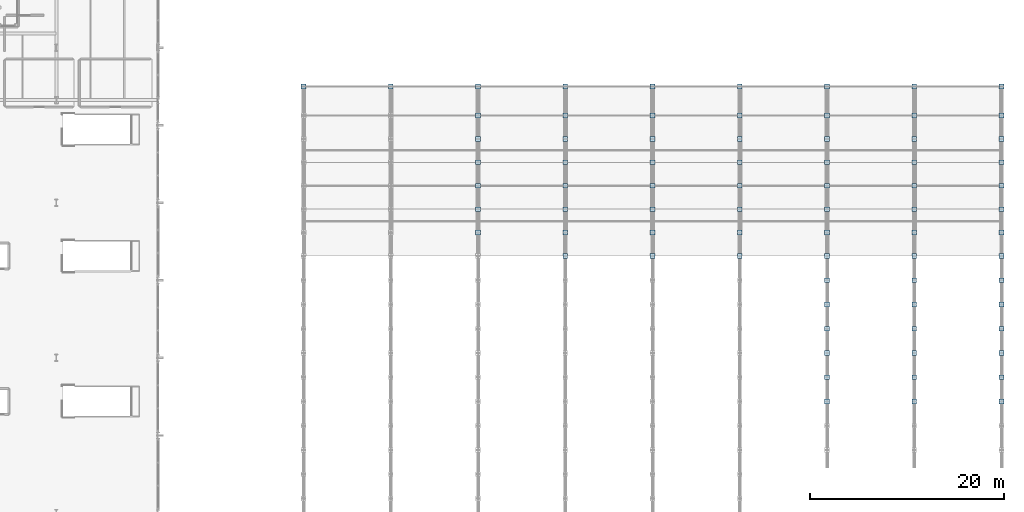
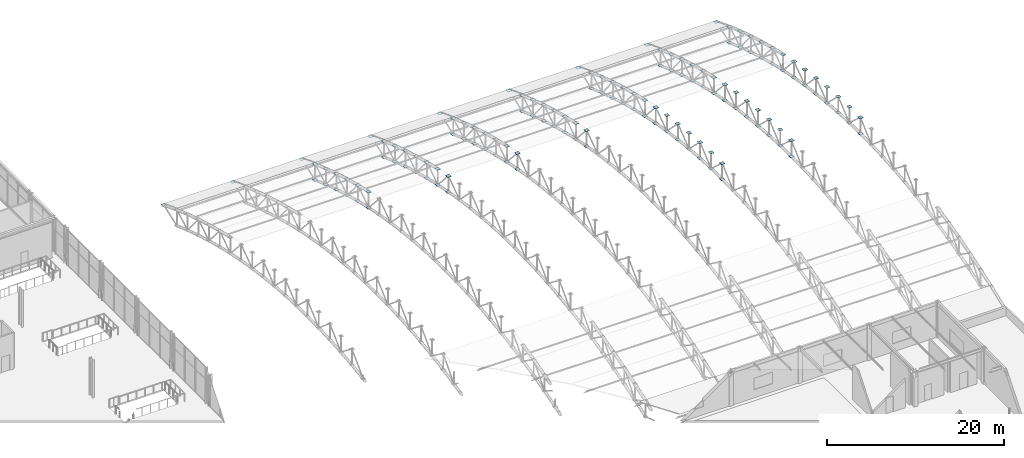
# One storey, part 107 of 195: 141 plates.
"""IFC4 building model written with IfcOpenShell, lengths in metres."""

from ifc_helpers import new_model, si_unit, direction, frame, origin, origin_2d, place, context, subcontext, project, spatial, rectangle, extrude, material, layer, layer_set, type_object, element, save


model = new_model("IFC4")

# Units and contexts
model_context = context("Model", 3, precision=1e-05, world=origin(), true_north=direction((0.0, 1.0)))
body_context = subcontext(model_context, "Body", "Model", "MODEL_VIEW")
ifc_project = project(units=[si_unit("LENGTHUNIT", "METRE"), si_unit("AREAUNIT", "SQUARE_METRE"), si_unit("VOLUMEUNIT", "CUBIC_METRE"), si_unit("PLANEANGLEUNIT", "RADIAN"), si_unit("MASSUNIT", "GRAM", prefix="KILO")], contexts=[model_context])

# Site, building, storey
site_placement = place(None, origin())
site = spatial("IfcSite", under=ifc_project, at=site_placement, CompositionType="ELEMENT")
building_placement = place(site_placement, origin())
building = spatial("IfcBuilding", under=site, at=building_placement, Name="Marlcrest Central Station", CompositionType="ELEMENT")
storey_placement = place(building_placement, frame((0.0, 0.0, 9.800048828125)))
storey = spatial("IfcBuildingStorey", under=building, at=storey_placement, Name="L02", CompositionType="ELEMENT", Elevation=9.800048828125)

# Plates
ifc_material = material(Name="Steel S355", Category="steel")
ifc_layer = layer(ifc_material, 0.02001953125, Name="GP-03")
ifc_layer_set = layer_set([ifc_layer], Name="Steel S355")
plate_type = type_object("IfcPlateType", Name="GP-03", PredefinedType="USERDEFINED", material=ifc_layer_set)
for number, where, z_axis, x_axis, name in (
    (1, (144.0, 98.5, 0.435791015625), (0.0, 0.0, 1.0), (1.0, 0.0, 0.0), "plt-cap-00632"),
    (2, (153.0, 98.5, 0.435791015625), (0.0, 0.0, 1.0), (1.0, 0.0, 0.0), "plt-cap-00684"),
    (3, (162.0, 83.419921875, 2.906982421875), (0.0, 0.0, 1.0), (1.0, 0.0, 0.0), "plt-cap-00724"),
    (4, (162.0, 83.419921875, 5.10693359375), (0.0, 0.0, 1.0), (1.0, 0.0, 0.0), "plt-cap-00725"),
    (5, (162.0, 85.830078125, 4.550048828125), (0.0, 0.0, 1.0), (1.0, 0.0, 0.0), "plt-cap-00726"),
    (6, (162.0, 85.830078125, 2.349853515625), (0.0, 0.0, 1.0), (1.0, 0.0, 0.0), "plt-cap-00727"),
    (7, (162.0, 88.25, 1.718017578125), (0.0, 0.0, 1.0), (1.0, 0.0, 0.0), "plt-cap-00728"),
    (8, (162.0, 88.25, 3.91796875), (0.0, 0.0, 1.0), (1.0, 0.0, 0.0), "plt-cap-00729"),
    (9, (162.0, 90.669921875, 3.21337890625), (0.0, 0.0, 1.0), (1.0, 0.0, 0.0), "plt-cap-00730"),
    (10, (162.0, 90.669921875, 1.013427734375), (0.0, 0.0, 1.0), (1.0, 0.0, 0.0), "plt-cap-00731"),
    (11, (162.0, 93.080078125, 0.239501953125), (0.0, 0.0, 1.0), (1.0, 0.0, 0.0), "plt-cap-00732"),
    (12, (162.0, 95.5, -0.610107421875), (0.0, 0.0, 1.0), (1.0, 0.0, 0.0), "plt-cap-00733"),
    (13, (162.0, 93.080078125, 2.439453125), (0.0, 0.0, 1.0), (1.0, 0.0, 0.0), "plt-cap-00734"),
    (14, (162.0, 95.5, 1.58984375), (0.0, 0.0, 1.0), (1.0, 0.0, 0.0), "plt-cap-00735"),
    (15, (162.0, 98.5, 0.435791015625), (0.0, 0.0, 1.0), (1.0, 0.0, 0.0), "plt-cap-00736"),
    (16, (171.0, 81.0, 5.59375), (0.0, 0.0, 1.0), (1.0, 0.0, 0.0), "plt-cap-00774"),
    (17, (171.0, 81.0, 3.393798828125), (0.0, 0.0, 1.0), (1.0, 0.0, 0.0), "plt-cap-00775"),
    (18, (171.0, 83.419921875, 2.906982421875), (0.0, 0.0, 1.0), (1.0, 0.0, 0.0), "plt-cap-00776"),
    (19, (171.0, 83.419921875, 5.10693359375), (0.0, 0.0, 1.0), (1.0, 0.0, 0.0), "plt-cap-00777"),
    (20, (171.0, 85.830078125, 4.550048828125), (0.0, 0.0, 1.0), (1.0, 0.0, 0.0), "plt-cap-00778"),
    (21, (171.0, 85.830078125, 2.349853515625), (0.0, 0.0, 1.0), (1.0, 0.0, 0.0), "plt-cap-00779"),
    (22, (171.0, 88.25, 1.718017578125), (0.0, 0.0, 1.0), (1.0, 0.0, 0.0), "plt-cap-00780"),
    (23, (171.0, 88.25, 3.91796875), (0.0, 0.0, 1.0), (1.0, 0.0, 0.0), "plt-cap-00781"),
    (24, (171.0, 90.669921875, 3.21337890625), (0.0, 0.0, 1.0), (1.0, 0.0, 0.0), "plt-cap-00782"),
    (25, (171.0, 90.669921875, 1.013427734375), (0.0, 0.0, 1.0), (1.0, 0.0, 0.0), "plt-cap-00783"),
    (26, (171.0, 93.080078125, 0.239501953125), (0.0, 0.0, 1.0), (1.0, 0.0, 0.0), "plt-cap-00784"),
    (27, (171.0, 95.5, -0.610107421875), (0.0, 0.0, 1.0), (1.0, 0.0, 0.0), "plt-cap-00785"),
    (28, (171.0, 93.080078125, 2.439453125), (0.0, 0.0, 1.0), (1.0, 0.0, 0.0), "plt-cap-00786"),
    (29, (171.0, 95.5, 1.58984375), (0.0, 0.0, 1.0), (1.0, 0.0, 0.0), "plt-cap-00787"),
    (30, (171.0, 98.5, 0.435791015625), (0.0, 0.0, 1.0), (1.0, 0.0, 0.0), "plt-cap-00788"),
    (31, (180.0, 81.0, 5.59375), (0.0, 0.0, 1.0), (1.0, 0.0, 0.0), "plt-cap-00826"),
    (32, (180.0, 81.0, 3.393798828125), (0.0, 0.0, 1.0), (1.0, 0.0, 0.0), "plt-cap-00827"),
    (33, (180.0, 83.419921875, 2.906982421875), (0.0, 0.0, 1.0), (1.0, 0.0, 0.0), "plt-cap-00828"),
    (34, (180.0, 83.419921875, 5.10693359375), (0.0, 0.0, 1.0), (1.0, 0.0, 0.0), "plt-cap-00829"),
    (35, (180.0, 85.830078125, 4.550048828125), (0.0, 0.0, 1.0), (1.0, 0.0, 0.0), "plt-cap-00830"),
    (36, (180.0, 85.830078125, 2.349853515625), (0.0, 0.0, 1.0), (1.0, 0.0, 0.0), "plt-cap-00831"),
    (37, (180.0, 88.25, 1.718017578125), (0.0, 0.0, 1.0), (1.0, 0.0, 0.0), "plt-cap-00832"),
    (38, (180.0, 88.25, 3.91796875), (0.0, 0.0, 1.0), (1.0, 0.0, 0.0), "plt-cap-00833"),
    (39, (180.0, 90.669921875, 3.21337890625), (0.0, 0.0, 1.0), (1.0, 0.0, 0.0), "plt-cap-00834"),
    (40, (180.0, 90.669921875, 1.013427734375), (0.0, 0.0, 1.0), (1.0, 0.0, 0.0), "plt-cap-00835"),
    (41, (180.0, 93.080078125, 0.239501953125), (0.0, 0.0, 1.0), (1.0, 0.0, 0.0), "plt-cap-00836"),
    (42, (180.0, 95.5, -0.610107421875), (0.0, 0.0, 1.0), (1.0, 0.0, 0.0), "plt-cap-00837"),
    (43, (180.0, 93.080078125, 2.439453125), (0.0, 0.0, 1.0), (1.0, 0.0, 0.0), "plt-cap-00838"),
    (44, (180.0, 95.5, 1.58984375), (0.0, 0.0, 1.0), (1.0, 0.0, 0.0), "plt-cap-00839"),
    (45, (180.0, 98.5, 0.435791015625), (0.0, 0.0, 1.0), (1.0, 0.0, 0.0), "plt-cap-00840"),
    (46, (189.0, 81.0, 5.59375), (0.0, 0.0, 1.0), (1.0, 0.0, 0.0), "plt-cap-00878"),
    (47, (189.0, 81.0, 3.393798828125), (0.0, 0.0, 1.0), (1.0, 0.0, 0.0), "plt-cap-00879"),
    (48, (189.0, 83.419921875, 2.906982421875), (0.0, 0.0, 1.0), (1.0, 0.0, 0.0), "plt-cap-00880"),
    (49, (189.0, 83.419921875, 5.10693359375), (0.0, 0.0, 1.0), (1.0, 0.0, 0.0), "plt-cap-00881"),
    (50, (189.0, 85.830078125, 4.550048828125), (0.0, 0.0, 1.0), (1.0, 0.0, 0.0), "plt-cap-00882"),
    (51, (189.0, 85.830078125, 2.349853515625), (0.0, 0.0, 1.0), (1.0, 0.0, 0.0), "plt-cap-00883"),
    (52, (189.0, 88.25, 1.718017578125), (0.0, 0.0, 1.0), (1.0, 0.0, 0.0), "plt-cap-00884"),
    (53, (189.0, 88.25, 3.91796875), (0.0, 0.0, 1.0), (1.0, 0.0, 0.0), "plt-cap-00885"),
    (54, (189.0, 90.669921875, 3.21337890625), (0.0, 0.0, 1.0), (1.0, 0.0, 0.0), "plt-cap-00886"),
    (55, (189.0, 90.669921875, 1.013427734375), (0.0, 0.0, 1.0), (1.0, 0.0, 0.0), "plt-cap-00887"),
    (56, (189.0, 93.080078125, 0.239501953125), (0.0, 0.0, 1.0), (1.0, 0.0, 0.0), "plt-cap-00888"),
    (57, (189.0, 95.5, -0.610107421875), (0.0, 0.0, 1.0), (1.0, 0.0, 0.0), "plt-cap-00889"),
    (58, (189.0, 93.080078125, 2.439453125), (0.0, 0.0, 1.0), (1.0, 0.0, 0.0), "plt-cap-00890"),
    (59, (189.0, 95.5, 1.58984375), (0.0, 0.0, 1.0), (1.0, 0.0, 0.0), "plt-cap-00891"),
    (60, (189.0, 98.5, 0.435791015625), (0.0, 0.0, 1.0), (1.0, 0.0, 0.0), "plt-cap-00892"),
    (61, (198.0, 66.0, 6.989990234375), (0.0, 0.0, 1.0), (1.0, 0.0, 0.0), "plt-cap-00918"),
    (62, (198.0, 66.0, 4.7900390625), (0.0, 0.0, 1.0), (1.0, 0.0, 0.0), "plt-cap-00919"),
    (63, (198.0, 68.5, 4.751220703125), (0.0, 0.0, 1.0), (1.0, 0.0, 0.0), "plt-cap-00920"),
    (64, (198.0, 68.5, 6.951171875), (0.0, 0.0, 1.0), (1.0, 0.0, 0.0), "plt-cap-00921"),
    (65, (198.0, 71.0, 6.8349609375), (0.0, 0.0, 1.0), (1.0, 0.0, 0.0), "plt-cap-00922"),
    (66, (198.0, 71.0, 4.634765625), (0.0, 0.0, 1.0), (1.0, 0.0, 0.0), "plt-cap-00923"),
    (67, (198.0, 73.5, 4.44091796875), (0.0, 0.0, 1.0), (1.0, 0.0, 0.0), "plt-cap-00924"),
    (68, (198.0, 73.5, 6.640869140625), (0.0, 0.0, 1.0), (1.0, 0.0, 0.0), "plt-cap-00925"),
    (69, (198.0, 76.0, 6.369384765625), (0.0, 0.0, 1.0), (1.0, 0.0, 0.0), "plt-cap-00926"),
    (70, (198.0, 76.0, 4.16943359375), (0.0, 0.0, 1.0), (1.0, 0.0, 0.0), "plt-cap-00927"),
    (71, (198.0, 78.5, 3.820556640625), (0.0, 0.0, 1.0), (1.0, 0.0, 0.0), "plt-cap-00928"),
    (72, (198.0, 78.5, 6.0205078125), (0.0, 0.0, 1.0), (1.0, 0.0, 0.0), "plt-cap-00929"),
    (73, (198.0, 81.0, 5.59375), (0.0, 0.0, 1.0), (1.0, 0.0, 0.0), "plt-cap-00930"),
    (74, (198.0, 81.0, 3.393798828125), (0.0, 0.0, 1.0), (1.0, 0.0, 0.0), "plt-cap-00931"),
    (75, (198.0, 83.419921875, 2.906982421875), (0.0, 0.0, 1.0), (1.0, 0.0, 0.0), "plt-cap-00932"),
    (76, (198.0, 83.419921875, 5.10693359375), (0.0, 0.0, 1.0), (1.0, 0.0, 0.0), "plt-cap-00933"),
    (77, (198.0, 85.830078125, 4.550048828125), (0.0, 0.0, 1.0), (1.0, 0.0, 0.0), "plt-cap-00934"),
    (78, (198.0, 85.830078125, 2.349853515625), (0.0, 0.0, 1.0), (1.0, 0.0, 0.0), "plt-cap-00935"),
    (79, (198.0, 88.25, 1.718017578125), (0.0, 0.0, 1.0), (1.0, 0.0, 0.0), "plt-cap-00936"),
    (80, (198.0, 88.25, 3.91796875), (0.0, 0.0, 1.0), (1.0, 0.0, 0.0), "plt-cap-00937"),
    (81, (198.0, 90.669921875, 3.21337890625), (0.0, 0.0, 1.0), (1.0, 0.0, 0.0), "plt-cap-00938"),
    (82, (198.0, 90.669921875, 1.013427734375), (0.0, 0.0, 1.0), (1.0, 0.0, 0.0), "plt-cap-00939"),
    (83, (198.0, 93.080078125, 0.239501953125), (0.0, 0.0, 1.0), (1.0, 0.0, 0.0), "plt-cap-00940"),
    (84, (198.0, 95.5, -0.610107421875), (0.0, 0.0, 1.0), (1.0, 0.0, 0.0), "plt-cap-00941"),
    (85, (198.0, 93.080078125, 2.439453125), (0.0, 0.0, 1.0), (1.0, 0.0, 0.0), "plt-cap-00942"),
    (86, (198.0, 95.5, 1.58984375), (0.0, 0.0, 1.0), (1.0, 0.0, 0.0), "plt-cap-00943"),
    (87, (198.0, 98.5, 0.435791015625), (0.0, 0.0, 1.0), (1.0, 0.0, 0.0), "plt-cap-00944"),
    (88, (207.0, 66.0, 6.989990234375), (0.0, 0.0, 1.0), (1.0, 0.0, 0.0), "plt-cap-00970"),
    (89, (207.0, 66.0, 4.7900390625), (0.0, 0.0, 1.0), (1.0, 0.0, 0.0), "plt-cap-00971"),
    (90, (207.0, 68.5, 4.751220703125), (0.0, 0.0, 1.0), (1.0, 0.0, 0.0), "plt-cap-00972"),
    (91, (207.0, 68.5, 6.951171875), (0.0, 0.0, 1.0), (1.0, 0.0, 0.0), "plt-cap-00973"),
    (92, (207.0, 71.0, 6.8349609375), (0.0, 0.0, 1.0), (1.0, 0.0, 0.0), "plt-cap-00974"),
    (93, (207.0, 71.0, 4.634765625), (0.0, 0.0, 1.0), (1.0, 0.0, 0.0), "plt-cap-00975"),
    (94, (207.0, 73.5, 4.44091796875), (0.0, 0.0, 1.0), (1.0, 0.0, 0.0), "plt-cap-00976"),
    (95, (207.0, 73.5, 6.640869140625), (0.0, 0.0, 1.0), (1.0, 0.0, 0.0), "plt-cap-00977"),
    (96, (207.0, 76.0, 6.369384765625), (0.0, 0.0, 1.0), (1.0, 0.0, 0.0), "plt-cap-00978"),
    (97, (207.0, 76.0, 4.16943359375), (0.0, 0.0, 1.0), (1.0, 0.0, 0.0), "plt-cap-00979"),
    (98, (207.0, 78.5, 3.820556640625), (0.0, 0.0, 1.0), (1.0, 0.0, 0.0), "plt-cap-00980"),
    (99, (207.0, 78.5, 6.0205078125), (0.0, 0.0, 1.0), (1.0, 0.0, 0.0), "plt-cap-00981"),
    (100, (207.0, 81.0, 5.59375), (0.0, 0.0, 1.0), (1.0, 0.0, 0.0), "plt-cap-00982"),
    (101, (207.0, 81.0, 3.393798828125), (0.0, 0.0, 1.0), (1.0, 0.0, 0.0), "plt-cap-00983"),
    (102, (207.0, 83.419921875, 2.906982421875), (0.0, 0.0, 1.0), (1.0, 0.0, 0.0), "plt-cap-00984"),
    (103, (207.0, 83.419921875, 5.10693359375), (0.0, 0.0, 1.0), (1.0, 0.0, 0.0), "plt-cap-00985"),
    (104, (207.0, 85.830078125, 4.550048828125), (0.0, 0.0, 1.0), (1.0, 0.0, 0.0), "plt-cap-00986"),
    (105, (207.0, 85.830078125, 2.349853515625), (0.0, 0.0, 1.0), (1.0, 0.0, 0.0), "plt-cap-00987"),
    (106, (207.0, 88.25, 1.718017578125), (0.0, 0.0, 1.0), (1.0, 0.0, 0.0), "plt-cap-00988"),
    (107, (207.0, 88.25, 3.91796875), (0.0, 0.0, 1.0), (1.0, 0.0, 0.0), "plt-cap-00989"),
    (108, (207.0, 90.669921875, 3.21337890625), (0.0, 0.0, 1.0), (1.0, 0.0, 0.0), "plt-cap-00990"),
    (109, (207.0, 90.669921875, 1.013427734375), (0.0, 0.0, 1.0), (1.0, 0.0, 0.0), "plt-cap-00991"),
    (110, (207.0, 93.080078125, 0.239501953125), (0.0, 0.0, 1.0), (1.0, 0.0, 0.0), "plt-cap-00992"),
    (111, (207.0, 95.5, -0.610107421875), (0.0, 0.0, 1.0), (1.0, 0.0, 0.0), "plt-cap-00993"),
    (112, (207.0, 93.080078125, 2.439453125), (0.0, 0.0, 1.0), (1.0, 0.0, 0.0), "plt-cap-00994"),
    (113, (207.0, 95.5, 1.58984375), (0.0, 0.0, 1.0), (1.0, 0.0, 0.0), "plt-cap-00995"),
    (114, (207.0, 98.5, 0.435791015625), (0.0, 0.0, 1.0), (1.0, 0.0, 0.0), "plt-cap-00996"),
    (115, (216.0, 66.0, 6.989990234375), (0.0, 0.0, 1.0), (1.0, 0.0, 0.0), "plt-cap-01022"),
    (116, (216.0, 66.0, 4.7900390625), (0.0, 0.0, 1.0), (1.0, 0.0, 0.0), "plt-cap-01023"),
    (117, (216.0, 68.5, 4.751220703125), (0.0, 0.0, 1.0), (1.0, 0.0, 0.0), "plt-cap-01024"),
    (118, (216.0, 68.5, 6.951171875), (0.0, 0.0, 1.0), (1.0, 0.0, 0.0), "plt-cap-01025"),
    (119, (216.0, 71.0, 6.8349609375), (0.0, 0.0, 1.0), (1.0, 0.0, 0.0), "plt-cap-01026"),
    (120, (216.0, 71.0, 4.634765625), (0.0, 0.0, 1.0), (1.0, 0.0, 0.0), "plt-cap-01027"),
    (121, (216.0, 73.5, 4.44091796875), (0.0, 0.0, 1.0), (1.0, 0.0, 0.0), "plt-cap-01028"),
    (122, (216.0, 73.5, 6.640869140625), (0.0, 0.0, 1.0), (1.0, 0.0, 0.0), "plt-cap-01029"),
    (123, (216.0, 76.0, 6.369384765625), (0.0, 0.0, 1.0), (1.0, 0.0, 0.0), "plt-cap-01030"),
    (124, (216.0, 76.0, 4.16943359375), (0.0, 0.0, 1.0), (1.0, 0.0, 0.0), "plt-cap-01031"),
    (125, (216.0, 78.5, 3.820556640625), (0.0, 0.0, 1.0), (1.0, 0.0, 0.0), "plt-cap-01032"),
    (126, (216.0, 78.5, 6.0205078125), (0.0, 0.0, 1.0), (1.0, 0.0, 0.0), "plt-cap-01033"),
    (127, (216.0, 81.0, 5.59375), (0.0, 0.0, 1.0), (1.0, 0.0, 0.0), "plt-cap-01034"),
    (128, (216.0, 81.0, 3.393798828125), (0.0, 0.0, 1.0), (1.0, 0.0, 0.0), "plt-cap-01035"),
    (129, (216.0, 83.419921875, 2.906982421875), (0.0, 0.0, 1.0), (1.0, 0.0, 0.0), "plt-cap-01036"),
    (130, (216.0, 83.419921875, 5.10693359375), (0.0, 0.0, 1.0), (1.0, 0.0, 0.0), "plt-cap-01037"),
    (131, (216.0, 85.830078125, 4.550048828125), (0.0, 0.0, 1.0), (1.0, 0.0, 0.0), "plt-cap-01038"),
    (132, (216.0, 85.830078125, 2.349853515625), (0.0, 0.0, 1.0), (1.0, 0.0, 0.0), "plt-cap-01039"),
    (133, (216.0, 88.25, 1.718017578125), (0.0, 0.0, 1.0), (1.0, 0.0, 0.0), "plt-cap-01040"),
    (134, (216.0, 88.25, 3.91796875), (0.0, 0.0, 1.0), (1.0, 0.0, 0.0), "plt-cap-01041"),
    (135, (216.0, 90.669921875, 3.21337890625), (0.0, 0.0, 1.0), (1.0, 0.0, 0.0), "plt-cap-01042"),
    (136, (216.0, 90.669921875, 1.013427734375), (0.0, 0.0, 1.0), (1.0, 0.0, 0.0), "plt-cap-01043"),
    (137, (216.0, 93.080078125, 0.239501953125), (0.0, 0.0, 1.0), (1.0, 0.0, 0.0), "plt-cap-01044"),
    (138, (216.0, 95.5, -0.610107421875), (0.0, 0.0, 1.0), (1.0, 0.0, 0.0), "plt-cap-01045"),
    (139, (216.0, 93.080078125, 2.439453125), (0.0, 0.0, 1.0), (1.0, 0.0, 0.0), "plt-cap-01046"),
    (140, (216.0, 95.5, 1.58984375), (0.0, 0.0, 1.0), (1.0, 0.0, 0.0), "plt-cap-01047"),
    (141, (216.0, 98.5, 0.435791015625), (0.0, 0.0, 1.0), (1.0, 0.0, 0.0), "plt-cap-01048"),
):
    element("IfcPlate", number, at=place(storey_placement, frame(where, z_axis=z_axis, x_axis=x_axis)), inside=storey, type_object=plate_type, Name=name, ObjectType="GUSSET_PLATE", PredefinedType="USERDEFINED", context=body_context, shape_type="SweptSolid", body=[
        extrude(rectangle(XDim=0.5, YDim=0.5, at=origin_2d()), origin(), (0.0, 0.0, 1.0), 0.02001953125),
    ])

save(model, "model.ifc")
